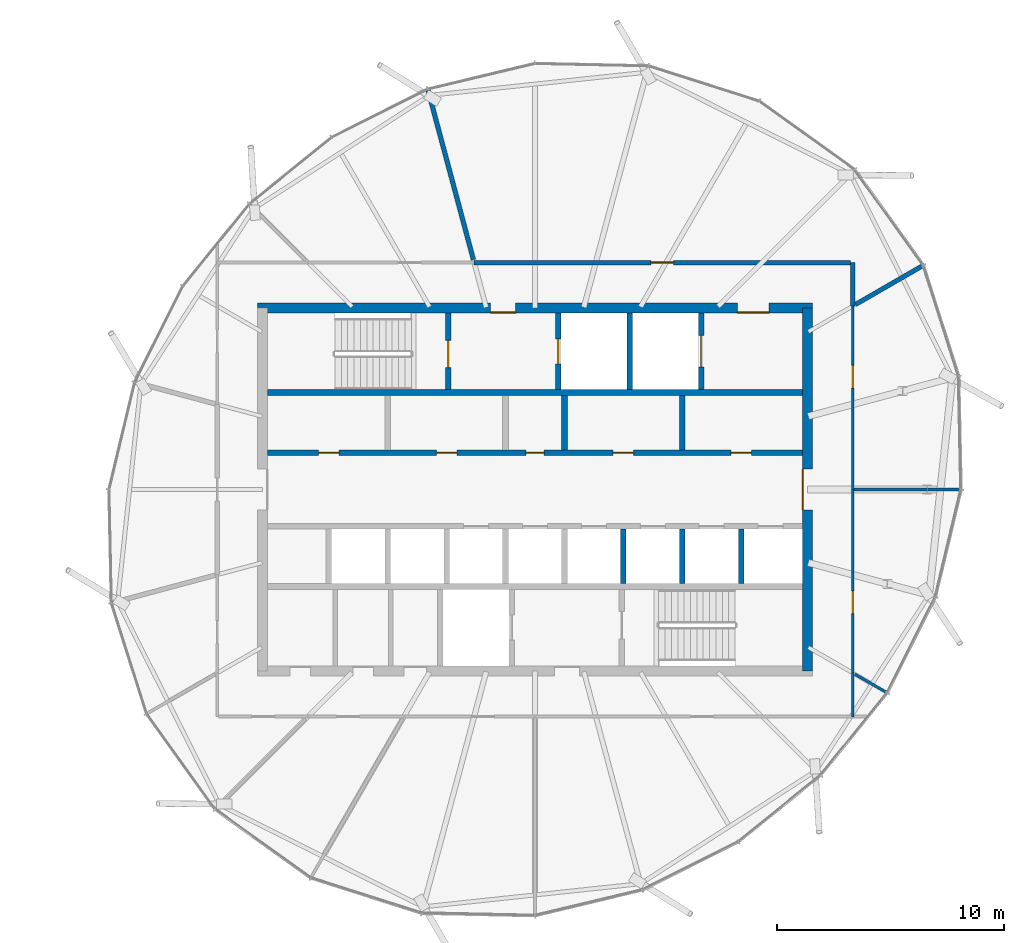
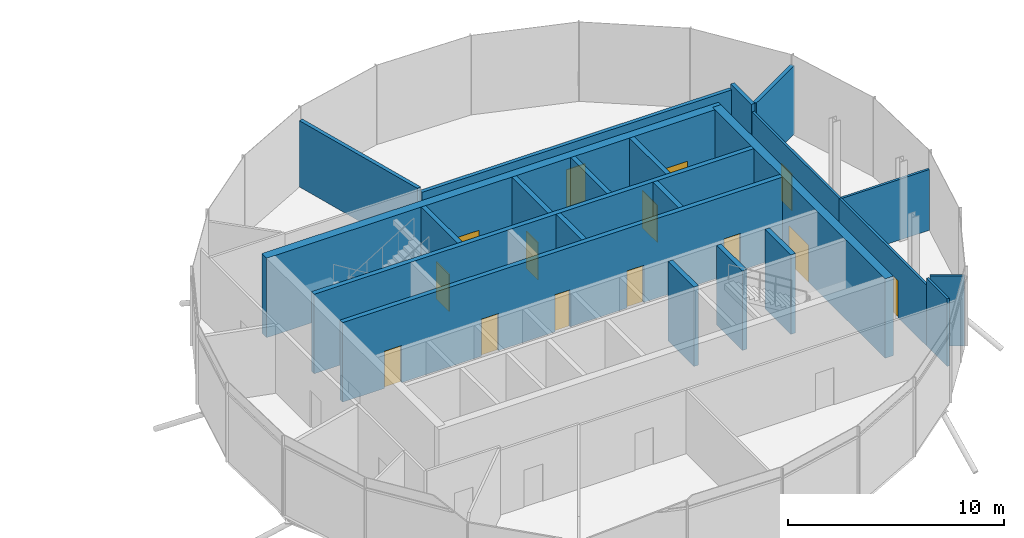
# One storey, part 20 of 31: 22 walls, 14 doors, 14 openings.
"""IFC4 building model written with IfcOpenShell, lengths in metres."""

import ifcopenshell
import ifcopenshell.guid

model = None  # the IFC model being written
_history = None  # IfcOwnerHistory: only IFC2X3 demands one
_inside = {}  # id of a spatial element -> (the spatial element, [elements in it])
_under = {}  # id of a project, library or spatial element -> (it, [spatial elements below it])
_declared = {}  # id of a project -> (the project, [libraries it declares])
_typed = {}  # id of a type object -> (the type object, [elements of that type])
_made_of = {}  # id of a material, layer set ... -> (it, [elements and type objects made of it])


def new_model(schema):
    """Start an empty IFC model of exactly this schema.

    Asked for "IFC4X3", IfcOpenShell would pick the latest addendum, in which some entities
    have other attributes; the version numbers below select the first issue.
    IFC2X3 requires an IfcOwnerHistory on every rooted entity: one is made here for all.
    """
    global model, _history
    if schema == "IFC4X3":
        model = ifcopenshell.file(schema_version=(4, 3, 0, 0))
    else:
        model = ifcopenshell.file(schema=schema)
    _inside.clear()
    _under.clear()
    _declared.clear()
    _typed.clear()
    _made_of.clear()
    _history = None
    if model.schema == "IFC2X3":
        org = make("IfcOrganization", Name="unknown")
        user = make(
            "IfcPersonAndOrganization",
            ThePerson=make("IfcPerson", FamilyName="unknown"),
            TheOrganization=org,
        )
        app = make(
            "IfcApplication",
            ApplicationDeveloper=org,
            Version="unknown",
            ApplicationFullName="unknown",
            ApplicationIdentifier="unknown",
        )
        _history = make(
            "IfcOwnerHistory",
            OwningUser=user,
            OwningApplication=app,
            ChangeAction="ADDED",
            CreationDate=0,
        )
    return model


def make(cls, **values):
    """One entity of the class cls with the attributes given. An attribute that is None is left unset."""
    return model.create_entity(
        cls, **{name: value for name, value in values.items() if value is not None}
    )


def rooted(cls, **values):
    """An entity with a GlobalId (a new one), such as an element, a storey or a relation."""
    return make(cls, GlobalId=ifcopenshell.guid.new(), OwnerHistory=_history, **values)


def si_unit(unit_type, name, prefix=None):
    """IfcSIUnit, for example si_unit("LENGTHUNIT", "METRE", prefix="MILLI")."""
    return make("IfcSIUnit", UnitType=unit_type, Prefix=prefix, Name=name)


def assignment(units):
    """IfcUnitAssignment: the units of a project."""
    return None if units is None else make("IfcUnitAssignment", Units=units)


def point(xyz):
    """IfcCartesianPoint."""
    return None if xyz is None else make("IfcCartesianPoint", Coordinates=xyz)


def direction(xyz):
    """IfcDirection."""
    return None if xyz is None else make("IfcDirection", DirectionRatios=xyz)


def frame(location, z_axis=None, x_axis=None):
    """IfcAxis2Placement3D, a coordinate frame: its origin and axes. An axis left out is left unset."""
    return make(
        "IfcAxis2Placement3D",
        Location=point(location),
        Axis=direction(z_axis),
        RefDirection=direction(x_axis),
    )


def frame_2d(location, x_axis=None):
    """IfcAxis2Placement2D, a coordinate frame in the plane: its origin and x axis."""
    return make(
        "IfcAxis2Placement2D", Location=point(location), RefDirection=direction(x_axis)
    )


def origin():
    """The frame at (0, 0, 0) with its axes left unset."""
    return frame((0.0, 0.0, 0.0))


def place(relative_to, where):
    """IfcLocalPlacement: puts the frame where relative to a parent placement (None: the world)."""
    return make(
        "IfcLocalPlacement", PlacementRelTo=relative_to, RelativePlacement=where
    )


def context(
    kind, dimensions, precision=None, world=None, true_north=None, identifier=None
):
    """IfcGeometricRepresentationContext, for example the 3D "Model" context."""
    return make(
        "IfcGeometricRepresentationContext",
        ContextIdentifier=identifier,
        ContextType=kind,
        CoordinateSpaceDimension=dimensions,
        Precision=precision,
        WorldCoordinateSystem=world,
        TrueNorth=true_north,
    )


def subcontext(parent, identifier, kind, view, scale=None):
    """IfcGeometricRepresentationSubContext, for example "Body" below "Model"."""
    return make(
        "IfcGeometricRepresentationSubContext",
        ContextIdentifier=identifier,
        ContextType=kind,
        ParentContext=parent,
        TargetScale=scale,
        TargetView=view,
    )


def project(units=None, contexts=None):
    """IfcProject with its units and contexts."""
    return rooted(
        "IfcProject",
        Name="project",
        RepresentationContexts=contexts,
        UnitsInContext=assignment(units),
    )


def spatial(cls, under=None, at=None, **own):
    """A site, building, storey or space (cls), placed at a placement, below another one or the project."""
    s = rooted(cls, ObjectPlacement=at, **own)
    if under is not None:
        _under.setdefault(under.id(), (under, []))[1].append(s)
    return s


def profile(cls, at=None, kind="AREA", **sizes):
    """A parametric profile (cls). Its sizes go by their IFC names, for example OverallWidth=200.0."""
    return make(cls, ProfileType=kind, Position=at, **sizes)


def rectangle(**sizes):
    """IfcRectangleProfileDef."""
    return profile("IfcRectangleProfileDef", **sizes)


def extrude(swept, where, along, depth):
    """IfcExtrudedAreaSolid: the profile swept, set in the frame where, extruded along a direction by depth."""
    return make(
        "IfcExtrudedAreaSolid",
        SweptArea=swept,
        Position=where,
        ExtrudedDirection=direction(along),
        Depth=depth,
    )


def shape(context_of_items, identifier, shape_type, items):
    """IfcShapeRepresentation: the items that make up one representation, for example the "Body"."""
    return make(
        "IfcShapeRepresentation",
        ContextOfItems=context_of_items,
        RepresentationIdentifier=identifier,
        RepresentationType=shape_type,
        Items=items,
    )


def material(Name=None, Category=None):
    """IfcMaterial."""
    return make("IfcMaterial", Name=Name, Category=Category)


def layer(
    of_material, thickness, ventilated=None, Name=None, Category=None, Priority=None
):
    """IfcMaterialLayer: one layer of a wall or slab, of a material (None: an air gap)."""
    return make(
        "IfcMaterialLayer",
        Material=of_material,
        LayerThickness=thickness,
        IsVentilated=ventilated,
        Name=Name,
        Category=Category,
        Priority=Priority,
    )


def layer_set(layers, Name=None):
    """IfcMaterialLayerSet."""
    return make("IfcMaterialLayerSet", MaterialLayers=layers, LayerSetName=Name)


def made_of(thing, what):
    """Note that an element or type object is made of a material, layer set ...; save() writes the relation."""
    if what is not None:
        _made_of.setdefault(what.id(), (what, []))[1].append(thing)
    return thing


def type_object(cls, material=None, **own):
    """A type object (cls), such as IfcWallType, which elements share."""
    return made_of(rooted(cls, **own), material)


def element(
    cls,
    number,
    at=None,
    inside=None,
    cuts=None,
    type_object=None,
    material=None,
    context=None,
    identifier="Body",
    shape_type=None,
    held_by="IfcProductDefinitionShape",
    body=None,
    shapes=None,
    **own,
):
    """One element of the class cls, such as IfcWall. Its Tag is "e" and its number.

    at: its placement. inside: the storey or other place that contains it. cuts: it is an
    opening in that element (IfcRelVoidsElement). A single representation is given by context,
    identifier, shape_type and body (its items); several are given by shapes. held_by: the class
    of the entity that holds the representations. save() writes the other relations.
    """
    e = rooted(cls, Tag="e%d" % number, ObjectPlacement=at, **own)
    if body is not None:
        shapes = [shape(context, identifier, shape_type, body)]
    if shapes is not None:
        e.Representation = make(held_by, Representations=shapes)
    if inside is not None:
        _inside.setdefault(inside.id(), (inside, []))[1].append(e)
    if cuts is not None:
        rooted(
            "IfcRelVoidsElement", RelatingBuildingElement=cuts, RelatedOpeningElement=e
        )
    if type_object is not None:
        _typed.setdefault(type_object.id(), (type_object, []))[1].append(e)
    return made_of(e, material)


def fill(opening, filler):
    """IfcRelFillsElement: the door or window that sits in an opening."""
    return rooted(
        "IfcRelFillsElement",
        RelatingOpeningElement=opening,
        RelatedBuildingElement=filler,
    )


def aggregate(whole, parts):
    """IfcRelAggregates: a whole, such as a stair, and the parts it consists of."""
    return rooted("IfcRelAggregates", RelatingObject=whole, RelatedObjects=parts)


def save(model, path):
    """Write the relations noted so far, then the file.

    IfcRelAggregates (storeys below a building ...), IfcRelContainedInSpatialStructure (elements
    in a storey), IfcRelDefinesByType, IfcRelAssociatesMaterial and IfcRelDeclares: one each for
    every whole, place, type object, material and project.
    """
    for whole, parts in _under.values():
        aggregate(whole, parts)
    for where, things in _inside.values():
        rooted(
            "IfcRelContainedInSpatialStructure",
            RelatedElements=things,
            RelatingStructure=where,
        )
    for kind, things in _typed.values():
        rooted("IfcRelDefinesByType", RelatedObjects=things, RelatingType=kind)
    for what, things in _made_of.values():
        rooted("IfcRelAssociatesMaterial", RelatedObjects=things, RelatingMaterial=what)
    for by, libraries in _declared.values():
        rooted("IfcRelDeclares", RelatingContext=by, RelatedDefinitions=libraries)
    model.write(path)


model = new_model("IFC4")

# Units and contexts
model_context = context("Model", 3, precision=1e-05, world=origin(), true_north=direction((0.0, 1.0)))
body_context = subcontext(model_context, "Body", "Model", "MODEL_VIEW")
ifc_project = project(units=[si_unit("LENGTHUNIT", "METRE"), si_unit("AREAUNIT", "SQUARE_METRE"), si_unit("VOLUMEUNIT", "CUBIC_METRE"), si_unit("PLANEANGLEUNIT", "RADIAN"), si_unit("MASSUNIT", "GRAM", prefix="KILO")], contexts=[model_context])

# Site, building, storey
site_placement = place(None, origin())
site = spatial("IfcSite", under=ifc_project, at=site_placement, CompositionType="ELEMENT")
building_placement = place(site_placement, origin())
building = spatial("IfcBuilding", under=site, at=building_placement, Name="Rimbun Link Towers", CompositionType="ELEMENT")
storey_placement = place(building_placement, frame((0.0, 0.0, 263.10009765625)))
storey = spatial("IfcBuildingStorey", under=building, at=storey_placement, Name="L64", CompositionType="ELEMENT", Elevation=263.10009765625)

# Wall, openings, doors
ifc_material_1 = material(Name="Concrete C60/75", Category="concrete")
ifc_layer_1 = layer(ifc_material_1, 0.449951171875)
ifc_layer_set_1 = layer_set([ifc_layer_1], Name="Core shear wall 450")
wall_type_1 = type_object("IfcWallType", Name="Core shear wall 450", PredefinedType="SHEAR", material=ifc_layer_set_1)
wall_1_placement = place(storey_placement, frame((19.52490234375, 8.0, 0.0), z_axis=(0.0, 0.0, 1.0), x_axis=(1.0, 0.0, 0.0)))
wall_1 = element("IfcWall", 1, at=wall_1_placement, inside=storey, type_object=wall_type_1, Name="L64 T2 core wall N", PredefinedType="SHEAR", context=body_context, shape_type="SweptSolid", body=[
    extrude(rectangle(XDim=24.4501953125, YDim=0.449951171875, at=frame_2d((12.22509765625, 0.0))), origin(), (0.0, 0.0, 1.0), 4.5),
])
opening_1_placement = place(wall_1_placement, frame((10.27490234375, 0.0, 0.0)))
opening_1 = element("IfcOpeningElement", 2, at=opening_1_placement, cuts=wall_1, Name="Opening C2DCF01N", PredefinedType="OPENING", context=body_context, shape_type="SweptSolid", body=[
    extrude(rectangle(XDim=1.10009765625, YDim=2.10009765625, at=frame_2d((0.550048828125, 1.050048828125))), frame((0.0, 0.23486328125, 0.0), z_axis=(0.0, -1.0, 0.0), x_axis=(1.0, 0.0, 0.0)), (0.0, 0.0, 1.0), 0.469970703125),
])
opening_2_placement = place(wall_1_placement, frame((21.137451171875, 0.0, 0.0)))
opening_2 = element("IfcOpeningElement", 3, at=opening_2_placement, cuts=wall_1, Name="Opening C2DSL02N", PredefinedType="OPENING", context=body_context, shape_type="SweptSolid", body=[
    extrude(rectangle(XDim=1.39990234375, YDim=2.10009765625, at=frame_2d((0.699951171875, 1.050048828125))), frame((0.0, 0.23486328125, 0.0), z_axis=(0.0, -1.0, 0.0), x_axis=(1.0, 0.0, 0.0)), (0.0, 0.0, 1.0), 0.469970703125),
])
ifc_material_2 = material(Name="Steel fire door set", Category="steel")
door_type_1 = type_object("IfcDoorType", Name="Core fire door single", OperationType="SINGLE_SWING_LEFT", PredefinedType="DOOR", material=ifc_material_2)
door_1_placement = place(opening_1_placement, origin())
door_1 = element("IfcDoor", 4, at=door_1_placement, inside=storey, type_object=door_type_1, Name="L64 T2 firefighting lobby n door", OperationType="SINGLE_SWING_RIGHT", OverallHeight=2.10009765625, OverallWidth=1.10009765625, PredefinedType="DOOR", context=body_context, shape_type="SweptSolid", body=[
    extrude(rectangle(XDim=1.10009765625, YDim=2.10009765625, at=frame_2d((0.550048828125, 1.050048828125))), frame((0.0, -0.1748046875, 0.0), z_axis=(0.0, -1.0, 0.0), x_axis=(1.0, 0.0, 0.0)), (0.0, 0.0, 1.0), 0.050048828125),
])
fill(opening_1, door_1)
ifc_material_3 = material(Name="Steel fire door set", Category="steel")
door_type_2 = type_object("IfcDoorType", Name="Service lobby door double", OperationType="DOUBLE_DOOR_SINGLE_SWING", PredefinedType="DOOR", material=ifc_material_3)
door_2_placement = place(opening_2_placement, origin())
door_2 = element("IfcDoor", 5, at=door_2_placement, inside=storey, type_object=door_type_2, Name="L64 T2 service lobby door", OperationType="DOUBLE_DOOR_SINGLE_SWING", OverallHeight=2.10009765625, OverallWidth=1.39990234375, PredefinedType="DOOR", context=body_context, shape_type="SweptSolid", body=[
    extrude(rectangle(XDim=1.39990234375, YDim=2.10009765625, at=frame_2d((0.699951171875, 1.050048828125))), frame((0.0, -0.1748046875, 0.0), z_axis=(0.0, -1.0, 0.0), x_axis=(1.0, 0.0, 0.0)), (0.0, 0.0, 1.0), 0.050048828125),
])
fill(opening_2, door_2)

# Wall, opening, door
wall_2_placement = place(storey_placement, frame((43.75, -8.0, 0.0), z_axis=(0.0, 0.0, 1.0), x_axis=(0.0, 1.0, 0.0)))
wall_2 = element("IfcWall", 6, at=wall_2_placement, inside=storey, type_object=wall_type_1, Name="L64 T2 core wall E", PredefinedType="SHEAR", context=body_context, shape_type="SweptSolid", body=[
    extrude(rectangle(XDim=16.0, YDim=0.449951171875, at=frame_2d((8.0, 0.0))), origin(), (0.0, 0.0, 1.0), 4.5),
])
opening_3_placement = place(wall_2_placement, frame((7.10009765625, 0.0, 0.0)))
opening_3 = element("IfcOpeningElement", 7, at=opening_3_placement, cuts=wall_2, Name="Opening C2DCL01E", PredefinedType="OPENING", context=body_context, shape_type="SweptSolid", body=[
    extrude(rectangle(XDim=1.800048828125, YDim=2.10009765625, at=frame_2d((0.89990234375, 1.050048828125))), frame((0.0, 0.23486328125, 0.0), z_axis=(0.0, -1.0, 0.0), x_axis=(1.0, 0.0, 0.0)), (0.0, 0.0, 1.0), 0.469970703125),
])
ifc_material_4 = material(Name="Steel fire door set", Category="steel")
door_type_3 = type_object("IfcDoorType", Name="Core lobby door double", OperationType="DOUBLE_DOOR_SINGLE_SWING", PredefinedType="DOOR", material=ifc_material_4)
door_3_placement = place(opening_3_placement, origin())
door_3 = element("IfcDoor", 8, at=door_3_placement, inside=storey, type_object=door_type_3, Name="L64 T2 lift lobby door", OperationType="DOUBLE_DOOR_SINGLE_SWING", OverallHeight=2.10009765625, OverallWidth=1.800048828125, PredefinedType="DOOR", context=body_context, shape_type="SweptSolid", body=[
    extrude(rectangle(XDim=1.800048828125, YDim=2.10009765625, at=frame_2d((0.89990234375, 1.050048828125))), frame((0.0, 0.22509765625, 0.0), z_axis=(0.0, -1.0, 0.0), x_axis=(1.0, 0.0, 0.0)), (0.0, 0.0, 1.0), 0.050048828125),
])
fill(opening_3, door_3)

# Wall
ifc_material_5 = material(Name="Concrete blockwork", Category="masonry")
ifc_layer_2 = layer(ifc_material_5, 0.199951171875)
ifc_layer_set_2 = layer_set([ifc_layer_2], Name="Fire partition 200 blockwork")
wall_type_2 = type_object("IfcWallType", Name="Fire partition 200 blockwork", PredefinedType="PARTITIONING", material=ifc_layer_set_2)
wall_3_placement = place(storey_placement, frame((45.75, 8.0830078125, 0.0), z_axis=(0.0, 0.0, 1.0), x_axis=(0.0, 1.0, 0.0)))
element("IfcWall", 9, at=wall_3_placement, inside=storey, type_object=wall_type_2, Name="TW/PW/L64/036", PredefinedType="PARTITIONING", context=body_context, shape_type="SweptSolid", body=[
    extrude(rectangle(XDim=1.9169921875, YDim=0.199951171875, at=frame_2d((0.95849609375, 0.0))), origin(), (0.0, 0.0, 1.0), 3.8740234375),
])

# Wall, opening, door
wall_4_placement = place(storey_placement, frame((45.64990234375, 10.0, 0.0), z_axis=(0.0, 0.0, 1.0), x_axis=(-1.0, 0.0, 0.0)))
wall_4 = element("IfcWall", 10, at=wall_4_placement, inside=storey, type_object=wall_type_2, Name="TW/PW/L64/037", PredefinedType="PARTITIONING", context=body_context, shape_type="SweptSolid", body=[
    extrude(rectangle(XDim=16.579345703125, YDim=0.199951171875, at=frame_2d((8.28955078125, 0.0))), origin(), (0.0, 0.0, 1.0), 3.596923828125),
])
opening_4_placement = place(wall_4_placement, frame((7.7900390625, 0.0, 0.0)))
opening_4 = element("IfcOpeningElement", 11, at=opening_4_placement, cuts=wall_4, Name="Opening TW D64.19", PredefinedType="OPENING", context=body_context, shape_type="SweptSolid", body=[
    extrude(rectangle(XDim=1.0, YDim=2.10009765625, at=frame_2d((0.5, 1.050048828125))), frame((0.0, 0.10986328125, 0.0), z_axis=(0.0, -1.0, 0.0), x_axis=(1.0, 0.0, 0.0)), (0.0, 0.0, 1.0), 0.219970703125),
])
ifc_material_6 = material(Name="Steel fire door set", Category="steel")
door_type_4 = type_object("IfcDoorType", Name="Fire door single leaf 1000 x 2100", OperationType="NOTDEFINED", PredefinedType="DOOR", material=ifc_material_6)
door_4_placement = place(opening_4_placement, origin())
door_4 = element("IfcDoor", 12, at=door_4_placement, inside=storey, type_object=door_type_4, Name="TW/DR/L64/019", OperationType="SINGLE_SWING_RIGHT", OverallHeight=2.10009765625, OverallWidth=1.0, PredefinedType="DOOR", context=body_context, shape_type="SweptSolid", body=[
    extrude(rectangle(XDim=1.0, YDim=2.10009765625, at=frame_2d((0.5, 1.050048828125))), frame((0.0, 0.02490234375, 0.0), z_axis=(0.0, -1.0, 0.0), x_axis=(1.0, 0.0, 0.0)), (0.0, 0.0, 1.0), 0.050048828125),
])
fill(opening_4, door_4)

# Walls
wall_5_placement = place(storey_placement, frame((48.90478515625, 9.904296875, 0.0), z_axis=(0.0, 0.0, 1.0), x_axis=(-0.866036288809, -0.499981146111, 0.0)))
element("IfcWall", 13, at=wall_5_placement, inside=storey, type_object=wall_type_2, Name="TW/PW/L64/049", PredefinedType="PARTITIONING", context=body_context, shape_type="SweptSolid", body=[
    extrude(rectangle(XDim=3.512939453125, YDim=0.199951171875, at=frame_2d((1.75634765625, 0.0))), origin(), (0.0, 0.0, 1.0), 3.8740234375),
])
wall_6_placement = place(storey_placement, frame((27.031005859375, 17.611328125, 0.0), z_axis=(0.0, 0.0, 1.0), x_axis=(0.258838967039, -0.965920488002, 0.0)))
element("IfcWall", 14, at=wall_6_placement, inside=storey, type_object=wall_type_2, Name="TW/PW/L64/050", PredefinedType="PARTITIONING", context=body_context, shape_type="SweptSolid", body=[
    extrude(rectangle(XDim=7.74951171875, YDim=0.199951171875, at=frame_2d((3.874755859375, 0.0))), origin(), (0.0, 0.0, 1.0), 3.746826171875),
])
ifc_material_7 = material(Name="Gypsum board on steel studs", Category="steel")
ifc_layer_3 = layer(ifc_material_7, 0.125)
ifc_layer_set_3 = layer_set([ifc_layer_3], Name="Partition 125 board on studs")
wall_type_3 = type_object("IfcWallType", Name="Partition 125 board on studs", PredefinedType="PARTITIONING", material=ifc_layer_set_3)
wall_7_placement = place(storey_placement, frame((45.75, -10.013916015625, 0.0), z_axis=(0.0, 0.0, 1.0), x_axis=(0.0, 1.0, 0.0)))
element("IfcWall", 15, at=wall_7_placement, inside=storey, type_object=wall_type_3, Name="TW/PW/L64/033", PredefinedType="PARTITIONING", context=body_context, shape_type="SweptSolid", body=[
    extrude(rectangle(XDim=1.930908203125, YDim=0.125, at=frame_2d((0.96533203125, 0.0))), origin(), (0.0, 0.0, 1.0), 3.826904296875),
])

# Wall, opening, door
wall_8_placement = place(storey_placement, frame((45.75, -8.0830078125, 0.0), z_axis=(0.0, 0.0, 1.0), x_axis=(0.0, 1.0, 0.0)))
wall_8 = element("IfcWall", 16, at=wall_8_placement, inside=storey, type_object=wall_type_3, Name="TW/PW/L64/034", PredefinedType="PARTITIONING", context=body_context, shape_type="SweptSolid", body=[
    extrude(rectangle(XDim=8.0830078125, YDim=0.125, at=frame_2d((4.04150390625, 0.0))), origin(), (0.0, 0.0, 1.0), 3.43896484375),
])
opening_5_placement = place(wall_8_placement, frame((2.614013671875, 0.0, 0.0)))
opening_5 = element("IfcOpeningElement", 17, at=opening_5_placement, cuts=wall_8, Name="Opening TW D64.17", PredefinedType="OPENING", context=body_context, shape_type="SweptSolid", body=[
    extrude(rectangle(XDim=1.0, YDim=2.10009765625, at=frame_2d((0.5, 1.050048828125))), frame((0.0, 0.072509765625, 0.0), z_axis=(0.0, -1.0, 0.0), x_axis=(1.0, 0.0, 0.0)), (0.0, 0.0, 1.0), 0.14501953125),
])
ifc_material_8 = material(Name="Timber door set", Category="wood")
door_type_5 = type_object("IfcDoorType", Name="Door single leaf 1000 x 2100", OperationType="NOTDEFINED", PredefinedType="DOOR", material=ifc_material_8)
door_5_placement = place(opening_5_placement, origin())
door_5 = element("IfcDoor", 18, at=door_5_placement, inside=storey, type_object=door_type_5, Name="TW/DR/L64/017", OperationType="SINGLE_SWING_RIGHT", OverallHeight=2.10009765625, OverallWidth=1.0, PredefinedType="DOOR", context=body_context, shape_type="SweptSolid", body=[
    extrude(rectangle(XDim=1.0, YDim=2.10009765625, at=frame_2d((0.5, 1.050048828125))), frame((0.0, 0.02490234375, 0.0), z_axis=(0.0, -1.0, 0.0), x_axis=(1.0, 0.0, 0.0)), (0.0, 0.0, 1.0), 0.050048828125),
])
fill(opening_5, door_5)

wall_9_placement = place(storey_placement, frame((45.75, 0.0, 0.0), z_axis=(0.0, 0.0, 1.0), x_axis=(0.0, 1.0, 0.0)))
wall_9 = element("IfcWall", 19, at=wall_9_placement, inside=storey, type_object=wall_type_3, Name="TW/PW/L64/035", PredefinedType="PARTITIONING", context=body_context, shape_type="SweptSolid", body=[
    extrude(rectangle(XDim=8.0830078125, YDim=0.125, at=frame_2d((4.04150390625, 0.0))), origin(), (0.0, 0.0, 1.0), 3.43896484375),
])
opening_6_placement = place(wall_9_placement, frame((4.468994140625, 0.0, 0.0)))
opening_6 = element("IfcOpeningElement", 20, at=opening_6_placement, cuts=wall_9, Name="Opening TW D64.18", PredefinedType="OPENING", context=body_context, shape_type="SweptSolid", body=[
    extrude(rectangle(XDim=1.0, YDim=2.10009765625, at=frame_2d((0.5, 1.050048828125))), frame((0.0, 0.072509765625, 0.0), z_axis=(0.0, -1.0, 0.0), x_axis=(1.0, 0.0, 0.0)), (0.0, 0.0, 1.0), 0.14501953125),
])
door_6_placement = place(opening_6_placement, origin())
door_6 = element("IfcDoor", 21, at=door_6_placement, inside=storey, type_object=door_type_5, Name="TW/DR/L64/018", OperationType="SINGLE_SWING_LEFT", OverallHeight=2.10009765625, OverallWidth=1.0, PredefinedType="DOOR", context=body_context, shape_type="SweptSolid", body=[
    extrude(rectangle(XDim=1.0, YDim=2.10009765625, at=frame_2d((0.5, 1.050048828125))), frame((0.0, 0.02490234375, 0.0), z_axis=(0.0, -1.0, 0.0), x_axis=(1.0, 0.0, 0.0)), (0.0, 0.0, 1.0), 0.050048828125),
])
fill(opening_6, door_6)

# Walls
wall_10_placement = place(storey_placement, frame((47.239990234375, -8.943115234375, 0.0), z_axis=(0.0, 0.0, 1.0), x_axis=(-0.866016629664, 0.500015196914, 0.0)))
element("IfcWall", 22, at=wall_10_placement, inside=storey, type_object=wall_type_3, Name="TW/PW/L64/047", PredefinedType="PARTITIONING", context=body_context, shape_type="SweptSolid", body=[
    extrude(rectangle(XDim=1.6123046875, YDim=0.125, at=frame_2d((0.80615234375, 0.0))), origin(), (0.0, 0.0, 1.0), 3.976806640625),
])
wall_11_placement = place(storey_placement, frame((50.489990234375, 0.0, 0.0), z_axis=(0.0, 0.0, 1.0), x_axis=(-1.0, 0.0, 0.0)))
element("IfcWall", 23, at=wall_11_placement, inside=storey, type_object=wall_type_3, Name="TW/PW/L64/048", PredefinedType="PARTITIONING", context=body_context, shape_type="SweptSolid", body=[
    extrude(rectangle(XDim=4.677490234375, YDim=0.125, at=frame_2d((2.3388671875, 0.0))), origin(), (0.0, 0.0, 1.0), 3.43896484375),
])
ifc_material_9 = material(Name="Concrete C60/75", Category="concrete")
ifc_layer_4 = layer(ifc_material_9, 0.25)
ifc_layer_set_4 = layer_set([ifc_layer_4], Name="Shaft wall 250")
wall_type_4 = type_object("IfcWallType", Name="Shaft wall 250", PredefinedType="SHEAR", material=ifc_layer_set_4)
wall_12_placement = place(storey_placement, frame((19.97509765625, 4.27490234375, 0.0), z_axis=(0.0, 0.0, 1.0), x_axis=(1.0, 0.0, 0.0)))
element("IfcWall", 24, at=wall_12_placement, inside=storey, type_object=wall_type_4, Name="L64 T2 core wall BN", PredefinedType="SHEAR", context=body_context, shape_type="SweptSolid", body=[
    extrude(rectangle(XDim=23.5498046875, YDim=0.25, at=frame_2d((11.77490234375, 0.0))), origin(), (0.0, 0.0, 1.0), 4.5),
])

# Wall, openings, doors
wall_13_placement = place(storey_placement, frame((19.97509765625, 1.625, 0.0), z_axis=(0.0, 0.0, 1.0), x_axis=(1.0, 0.0, 0.0)))
wall_13 = element("IfcWall", 25, at=wall_13_placement, inside=storey, type_object=wall_type_4, Name="L64 T2 core wall FN", PredefinedType="SHEAR", context=body_context, shape_type="SweptSolid", body=[
    extrude(rectangle(XDim=23.5498046875, YDim=0.25, at=frame_2d((11.77490234375, 0.0))), origin(), (0.0, 0.0, 1.0), 4.5),
])
opening_7_placement = place(wall_13_placement, frame((2.244384765625, 0.0, 0.0)))
opening_7 = element("IfcOpeningElement", 26, at=opening_7_placement, cuts=wall_13, Name="Opening C2DRS01FN", PredefinedType="OPENING", context=body_context, shape_type="SweptSolid", body=[
    extrude(rectangle(XDim=0.89990234375, YDim=2.10009765625, at=frame_2d((0.449951171875, 1.050048828125))), frame((0.0, 0.135009765625, 0.0), z_axis=(0.0, -1.0, 0.0), x_axis=(1.0, 0.0, 0.0)), (0.0, 0.0, 1.0), 0.27001953125),
])
opening_8_placement = place(wall_13_placement, frame((7.433349609375, 0.0, 0.0)))
opening_8 = element("IfcOpeningElement", 27, at=opening_8_placement, cuts=wall_13, Name="Opening C2DRS02FN", PredefinedType="OPENING", context=body_context, shape_type="SweptSolid", body=[
    extrude(rectangle(XDim=0.89990234375, YDim=2.10009765625, at=frame_2d((0.449951171875, 1.050048828125))), frame((0.0, 0.135009765625, 0.0), z_axis=(0.0, -1.0, 0.0), x_axis=(1.0, 0.0, 0.0)), (0.0, 0.0, 1.0), 0.27001953125),
])
opening_9_placement = place(wall_13_placement, frame((11.375, 0.0, 0.0)))
opening_9 = element("IfcOpeningElement", 28, at=opening_9_placement, cuts=wall_13, Name="Opening C2DRA03FN", PredefinedType="OPENING", context=body_context, shape_type="SweptSolid", body=[
    extrude(rectangle(XDim=0.800048828125, YDim=2.10009765625, at=frame_2d((0.39990234375, 1.050048828125))), frame((0.0, 0.135009765625, 0.0), z_axis=(0.0, -1.0, 0.0), x_axis=(1.0, 0.0, 0.0)), (0.0, 0.0, 1.0), 0.27001953125),
])
opening_10_placement = place(wall_13_placement, frame((15.216796875, 0.0, 0.0)))
opening_10 = element("IfcOpeningElement", 29, at=opening_10_placement, cuts=wall_13, Name="Opening C2DRS04FN", PredefinedType="OPENING", context=body_context, shape_type="SweptSolid", body=[
    extrude(rectangle(XDim=0.89990234375, YDim=2.10009765625, at=frame_2d((0.449951171875, 1.050048828125))), frame((0.0, 0.135009765625, 0.0), z_axis=(0.0, -1.0, 0.0), x_axis=(1.0, 0.0, 0.0)), (0.0, 0.0, 1.0), 0.27001953125),
])
opening_11_placement = place(wall_13_placement, frame((20.405517578125, 0.0, 0.0)))
opening_11 = element("IfcOpeningElement", 30, at=opening_11_placement, cuts=wall_13, Name="Opening C2DRS05FN", PredefinedType="OPENING", context=body_context, shape_type="SweptSolid", body=[
    extrude(rectangle(XDim=0.89990234375, YDim=2.10009765625, at=frame_2d((0.449951171875, 1.050048828125))), frame((0.0, 0.135009765625, 0.0), z_axis=(0.0, -1.0, 0.0), x_axis=(1.0, 0.0, 0.0)), (0.0, 0.0, 1.0), 0.27001953125),
])
ifc_material_10 = material(Name="Steel fire door set", Category="steel")
door_type_6 = type_object("IfcDoorType", Name="Core riser door", OperationType="SINGLE_SWING_LEFT", PredefinedType="DOOR", material=ifc_material_10)
door_7_placement = place(opening_7_placement, origin())
door_7 = element("IfcDoor", 31, at=door_7_placement, inside=storey, type_object=door_type_6, Name="L64 T2 staff lounge door", OperationType="SINGLE_SWING_LEFT", OverallHeight=2.10009765625, OverallWidth=0.89990234375, PredefinedType="DOOR", context=body_context, shape_type="SweptSolid", body=[
    extrude(rectangle(XDim=0.89990234375, YDim=2.10009765625, at=frame_2d((0.449951171875, 1.050048828125))), frame((0.0, 0.02490234375, 0.0), z_axis=(0.0, -1.0, 0.0), x_axis=(1.0, 0.0, 0.0)), (0.0, 0.0, 1.0), 0.050048828125),
])
fill(opening_7, door_7)
door_8_placement = place(opening_8_placement, origin())
door_8 = element("IfcDoor", 32, at=door_8_placement, inside=storey, type_object=door_type_6, Name="L64 T2 phone room door", OperationType="SINGLE_SWING_LEFT", OverallHeight=2.10009765625, OverallWidth=0.89990234375, PredefinedType="DOOR", context=body_context, shape_type="SweptSolid", body=[
    extrude(rectangle(XDim=0.89990234375, YDim=2.10009765625, at=frame_2d((0.449951171875, 1.050048828125))), frame((0.0, 0.02490234375, 0.0), z_axis=(0.0, -1.0, 0.0), x_axis=(1.0, 0.0, 0.0)), (0.0, 0.0, 1.0), 0.050048828125),
])
fill(opening_8, door_8)
door_9_placement = place(opening_10_placement, origin())
door_9 = element("IfcDoor", 33, at=door_9_placement, inside=storey, type_object=door_type_6, Name="L64 T2 print room door", OperationType="SINGLE_SWING_LEFT", OverallHeight=2.10009765625, OverallWidth=0.89990234375, PredefinedType="DOOR", context=body_context, shape_type="SweptSolid", body=[
    extrude(rectangle(XDim=0.89990234375, YDim=2.10009765625, at=frame_2d((0.449951171875, 1.050048828125))), frame((0.0, 0.02490234375, 0.0), z_axis=(0.0, -1.0, 0.0), x_axis=(1.0, 0.0, 0.0)), (0.0, 0.0, 1.0), 0.050048828125),
])
fill(opening_10, door_9)
door_10_placement = place(opening_11_placement, origin())
door_10 = element("IfcDoor", 34, at=door_10_placement, inside=storey, type_object=door_type_6, Name="L64 T2 staff lounge door", OperationType="SINGLE_SWING_LEFT", OverallHeight=2.10009765625, OverallWidth=0.89990234375, PredefinedType="DOOR", context=body_context, shape_type="SweptSolid", body=[
    extrude(rectangle(XDim=0.89990234375, YDim=2.10009765625, at=frame_2d((0.449951171875, 1.050048828125))), frame((0.0, 0.02490234375, 0.0), z_axis=(0.0, -1.0, 0.0), x_axis=(1.0, 0.0, 0.0)), (0.0, 0.0, 1.0), 0.050048828125),
])
fill(opening_11, door_10)
ifc_material_11 = material(Name="Steel fire door set", Category="steel")
door_type_7 = type_object("IfcDoorType", Name="Riser access door 800 x 2100", OperationType="SINGLE_SWING_LEFT", PredefinedType="DOOR", material=ifc_material_11)
door_11_placement = place(opening_9_placement, origin())
door_11 = element("IfcDoor", 35, at=door_11_placement, inside=storey, type_object=door_type_7, Name="L64 T2 communications room door", OperationType="SINGLE_SWING_RIGHT", OverallHeight=2.10009765625, OverallWidth=0.800048828125, PredefinedType="DOOR", context=body_context, shape_type="SweptSolid", body=[
    extrude(rectangle(XDim=0.800048828125, YDim=2.10009765625, at=frame_2d((0.39990234375, 1.050048828125))), frame((0.0, 0.02490234375, 0.0), z_axis=(0.0, -1.0, 0.0), x_axis=(1.0, 0.0, 0.0)), (0.0, 0.0, 1.0), 0.050048828125),
])
fill(opening_9, door_11)

# Walls
for number, where, z_axis, x_axis, name in (
    (36, (33.047119140625, 1.75, 0.0), (0.0, 0.0, 1.0), (0.0, 1.0, 0.0), "L64 T2 core wall DN4"),
    (37, (38.236083984375, 1.75, 0.0), (0.0, 0.0, 1.0), (0.0, 1.0, 0.0), "L64 T2 core wall DN6"),
    (38, (35.6416015625, -4.14990234375, 0.0), (0.0, 0.0, 1.0), (0.0, 1.0, 0.0), "L64 T2 core wall DS5"),
    (39, (38.236083984375, -4.14990234375, 0.0), (0.0, 0.0, 1.0), (0.0, 1.0, 0.0), "L64 T2 core wall DS6"),
    (40, (40.83056640625, -4.14990234375, 0.0), (0.0, 0.0, 1.0), (0.0, 1.0, 0.0), "L64 T2 core wall DS7"),
):
    element("IfcWall", number, at=place(storey_placement, frame(where, z_axis=z_axis, x_axis=x_axis)), inside=storey, type_object=wall_type_4, Name=name, PredefinedType="SHEAR", context=body_context, shape_type="SweptSolid", body=[
        extrude(rectangle(XDim=2.39990234375, YDim=0.25, at=frame_2d((1.199951171875, 0.0))), origin(), (0.0, 0.0, 1.0), 4.5),
    ])

# Wall, opening, door
wall_14_placement = place(storey_placement, frame((27.925048828125, 4.39990234375, 0.0), z_axis=(0.0, 0.0, 1.0), x_axis=(0.0, 1.0, 0.0)))
wall_14 = element("IfcWall", 41, at=wall_14_placement, inside=storey, type_object=wall_type_4, Name="L64 T2 core wall A1", PredefinedType="SHEAR", context=body_context, shape_type="SweptSolid", body=[
    extrude(rectangle(XDim=3.375, YDim=0.25, at=frame_2d((1.6875, 0.0))), origin(), (0.0, 0.0, 1.0), 4.5),
])
opening_12_placement = place(wall_14_placement, frame((0.97509765625, 0.0, 0.0)))
opening_12 = element("IfcOpeningElement", 42, at=opening_12_placement, cuts=wall_14, Name="Opening C2DST01A1", PredefinedType="OPENING", context=body_context, shape_type="SweptSolid", body=[
    extrude(rectangle(XDim=1.199951171875, YDim=2.10009765625, at=frame_2d((0.60009765625, 1.050048828125))), frame((0.0, 0.135009765625, 0.0), z_axis=(0.0, -1.0, 0.0), x_axis=(1.0, 0.0, 0.0)), (0.0, 0.0, 1.0), 0.27001953125),
])
ifc_material_12 = material(Name="Steel fire door set", Category="steel")
door_type_8 = type_object("IfcDoorType", Name="Stair door", OperationType="SINGLE_SWING_LEFT", PredefinedType="DOOR", material=ifc_material_12)
door_12_placement = place(opening_12_placement, origin())
door_12 = element("IfcDoor", 43, at=door_12_placement, inside=storey, type_object=door_type_8, Name="L64 T2 stair a door", OperationType="SINGLE_SWING_RIGHT", OverallHeight=2.10009765625, OverallWidth=1.199951171875, PredefinedType="DOOR", context=body_context, shape_type="SweptSolid", body=[
    extrude(rectangle(XDim=1.199951171875, YDim=2.10009765625, at=frame_2d((0.60009765625, 1.050048828125))), frame((0.0, 0.02490234375, 0.0), z_axis=(0.0, -1.0, 0.0), x_axis=(1.0, 0.0, 0.0)), (0.0, 0.0, 1.0), 0.050048828125),
])
fill(opening_12, door_12)

wall_15_placement = place(storey_placement, frame((32.77490234375, 4.39990234375, 0.0), z_axis=(0.0, 0.0, 1.0), x_axis=(0.0, 1.0, 0.0)))
wall_15 = element("IfcWall", 44, at=wall_15_placement, inside=storey, type_object=wall_type_4, Name="L64 T2 core wall A2", PredefinedType="SHEAR", context=body_context, shape_type="SweptSolid", body=[
    extrude(rectangle(XDim=3.375, YDim=0.25, at=frame_2d((1.6875, 0.0))), origin(), (0.0, 0.0, 1.0), 4.5),
])
opening_13_placement = place(wall_15_placement, frame((1.137451171875, 0.0, 0.0)))
opening_13 = element("IfcOpeningElement", 45, at=opening_13_placement, cuts=wall_15, Name="Opening LD-T2-FF1", PredefinedType="OPENING", context=body_context, shape_type="SweptSolid", body=[
    extrude(rectangle(XDim=1.10009765625, YDim=2.10009765625, at=frame_2d((0.550048828125, 1.050048828125))), frame((0.0, 0.135009765625, 0.0), z_axis=(0.0, -1.0, 0.0), x_axis=(1.0, 0.0, 0.0)), (0.0, 0.0, 1.0), 0.27001953125),
])
ifc_material_13 = material(Name="Stainless steel grade 316", Category="steel")
door_type_9 = type_object("IfcDoorType", Name="Lift landing door", OperationType="DOUBLE_DOOR_SLIDING", PredefinedType="DOOR", material=ifc_material_13)
door_13_placement = place(opening_13_placement, origin())
door_13 = element("IfcDoor", 46, at=door_13_placement, inside=storey, type_object=door_type_9, Name="L64 T2 lift FF1 landing door", OperationType="DOUBLE_DOOR_SLIDING", OverallHeight=2.10009765625, OverallWidth=1.10009765625, PredefinedType="DOOR", context=body_context, shape_type="SweptSolid", body=[
    extrude(rectangle(XDim=1.10009765625, YDim=2.10009765625, at=frame_2d((0.550048828125, 1.050048828125))), frame((0.0, 0.02490234375, 0.0), z_axis=(0.0, -1.0, 0.0), x_axis=(1.0, 0.0, 0.0)), (0.0, 0.0, 1.0), 0.050048828125),
])
fill(opening_13, door_13)

# Wall
wall_16_placement = place(storey_placement, frame((35.925048828125, 4.39990234375, 0.0), z_axis=(0.0, 0.0, 1.0), x_axis=(0.0, 1.0, 0.0)))
element("IfcWall", 47, at=wall_16_placement, inside=storey, type_object=wall_type_4, Name="L64 T2 core wall A3", PredefinedType="SHEAR", context=body_context, shape_type="SweptSolid", body=[
    extrude(rectangle(XDim=3.375, YDim=0.25, at=frame_2d((1.6875, 0.0))), origin(), (0.0, 0.0, 1.0), 4.5),
])

# Wall, opening, door
wall_17_placement = place(storey_placement, frame((39.074951171875, 4.39990234375, 0.0), z_axis=(0.0, 0.0, 1.0), x_axis=(0.0, 1.0, 0.0)))
wall_17 = element("IfcWall", 48, at=wall_17_placement, inside=storey, type_object=wall_type_4, Name="L64 T2 core wall A4", PredefinedType="SHEAR", context=body_context, shape_type="SweptSolid", body=[
    extrude(rectangle(XDim=3.375, YDim=0.25, at=frame_2d((1.6875, 0.0))), origin(), (0.0, 0.0, 1.0), 4.5),
])
opening_14_placement = place(wall_17_placement, frame((0.987548828125, 0.0, 0.0)))
opening_14 = element("IfcOpeningElement", 49, at=opening_14_placement, cuts=wall_17, Name="Opening LD-T2-GL1", PredefinedType="OPENING", context=body_context, shape_type="SweptSolid", body=[
    extrude(rectangle(XDim=1.39990234375, YDim=2.10009765625, at=frame_2d((0.699951171875, 1.050048828125))), frame((0.0, 0.135009765625, 0.0), z_axis=(0.0, -1.0, 0.0), x_axis=(1.0, 0.0, 0.0)), (0.0, 0.0, 1.0), 0.27001953125),
])
ifc_material_14 = material(Name="Stainless steel grade 316", Category="steel")
door_type_10 = type_object("IfcDoorType", Name="Goods lift landing door", OperationType="DOUBLE_DOOR_SLIDING", PredefinedType="DOOR", material=ifc_material_14)
door_14_placement = place(opening_14_placement, origin())
door_14 = element("IfcDoor", 50, at=door_14_placement, inside=storey, type_object=door_type_10, Name="L64 T2 lift GL1 landing door", OperationType="DOUBLE_DOOR_SLIDING", OverallHeight=2.10009765625, OverallWidth=1.39990234375, PredefinedType="DOOR", context=body_context, shape_type="SweptSolid", body=[
    extrude(rectangle(XDim=1.39990234375, YDim=2.10009765625, at=frame_2d((0.699951171875, 1.050048828125))), frame((0.0, 0.02490234375, 0.0), z_axis=(0.0, -1.0, 0.0), x_axis=(1.0, 0.0, 0.0)), (0.0, 0.0, 1.0), 0.050048828125),
])
fill(opening_14, door_14)

save(model, "model.ifc")
